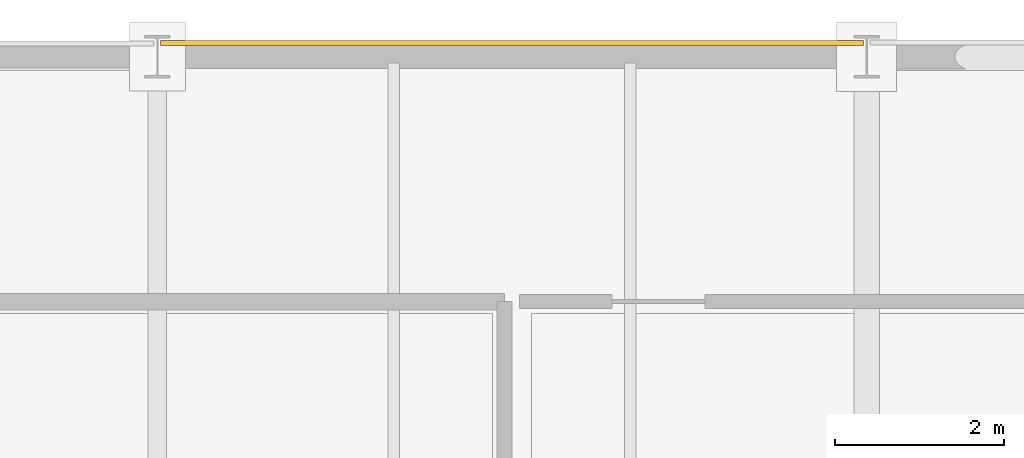
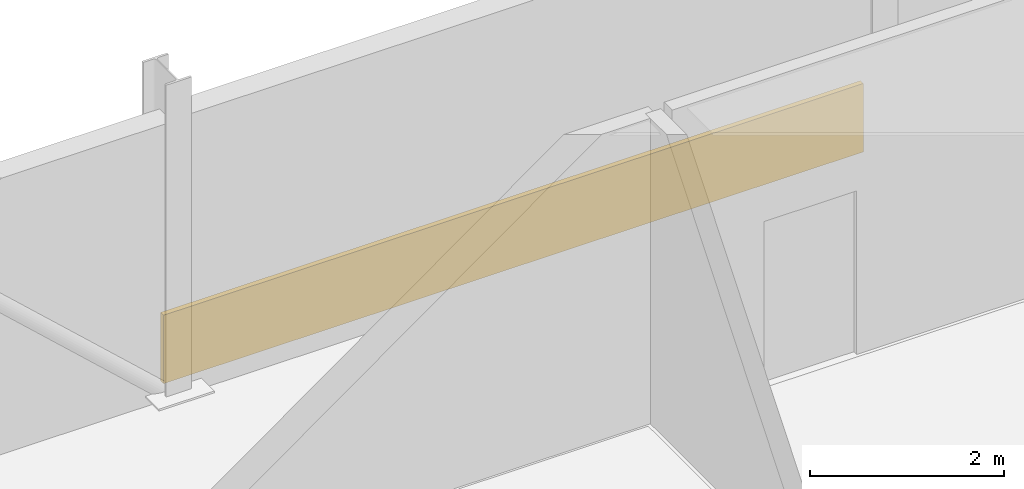
# One storey, part 142 of 151: 1 covering.
"""IFC4 building model written with IfcOpenShell, lengths in metres."""

from ifc_helpers import new_model, si_unit, direction, frame, origin, origin_2d, place, context, subcontext, project, spatial, rectangle, extrude, material, layer, layer_set, type_object, element, save


model = new_model("IFC4")

# Units and contexts
model_context = context("Model", 3, precision=1e-05, world=origin(), true_north=direction((0.0, 1.0)))
body_context = subcontext(model_context, "Body", "Model", "MODEL_VIEW")
ifc_project = project(units=[si_unit("LENGTHUNIT", "METRE"), si_unit("AREAUNIT", "SQUARE_METRE"), si_unit("VOLUMEUNIT", "CUBIC_METRE"), si_unit("PLANEANGLEUNIT", "RADIAN"), si_unit("MASSUNIT", "GRAM", prefix="KILO")], contexts=[model_context])

# Site, building, storey
site_placement = place(None, origin())
site = spatial("IfcSite", under=ifc_project, at=site_placement, CompositionType="ELEMENT")
building_placement = place(site_placement, origin())
building = spatial("IfcBuilding", under=site, at=building_placement, Name="Mersafa Astral City Hall", CompositionType="ELEMENT")
storey_placement = place(building_placement, frame((0.0, 0.0, 9.89990234375)))
storey = spatial("IfcBuildingStorey", under=building, at=storey_placement, Name="L02", CompositionType="ELEMENT", Elevation=9.89990234375)

# Covering
ifc_material = material(Name="Cairo Mokattam buff limestone cladding", Category="masonry")
ifc_layer = layer(ifc_material, 0.06005859375, Name="Cairo Mokattam buff limestone cladding")
ifc_layer_set = layer_set([ifc_layer], Name="Cairo Mokattam buff limestone cladding — ENV-COV-LIMESTONE-60")
covering_type = type_object("IfcCoveringType", Name="ENV-COV-LIMESTONE-60", PredefinedType="CLADDING", material=ifc_layer_set)
covering_placement = place(storey_placement, frame((71.39990234375, 126.162109375, 0.0), z_axis=(0.0, 0.0, 1.0), x_axis=(-1.0, 0.0, 0.0)))
element("IfcCovering", 1, at=covering_placement, inside=storey, type_object=covering_type, Name="L02 Cairo buff limestone rainscreen cladding 187", PredefinedType="CLADDING", context=body_context, shape_type="SweptSolid", body=[
    extrude(rectangle(XDim=8.323974609375, YDim=0.06005859375, at=origin_2d()), origin(), (0.0, 0.0, 1.0), 0.860107421875),
])

save(model, "model.ifc")
